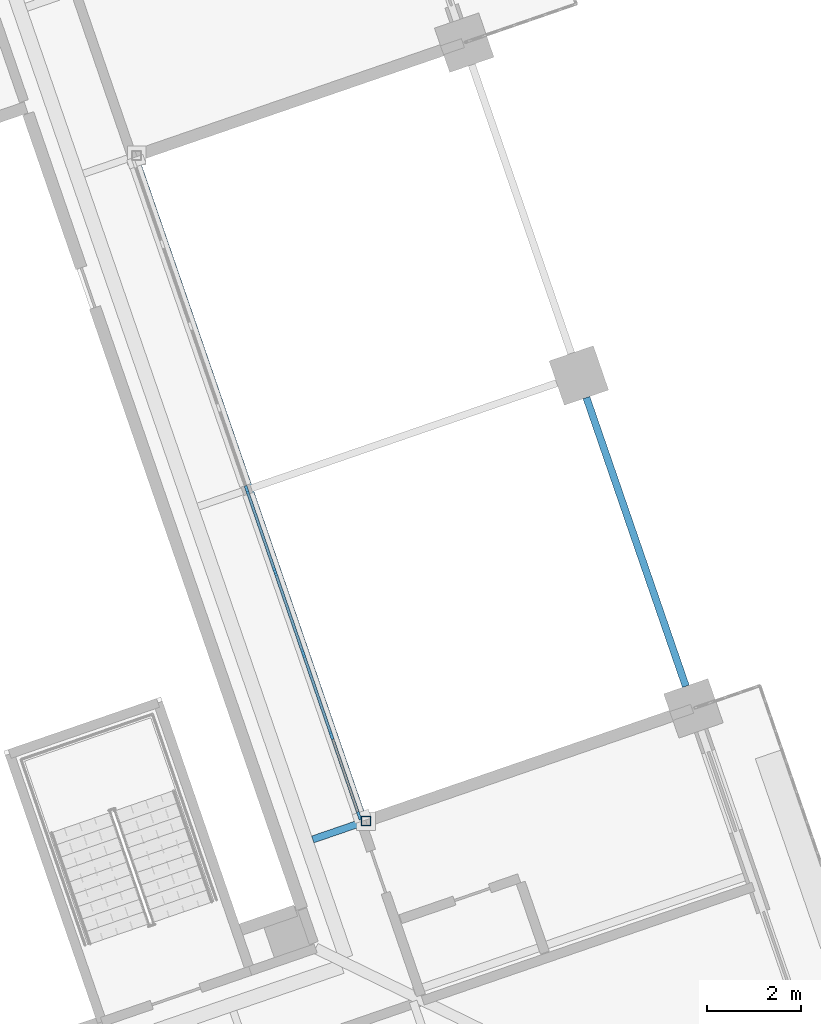
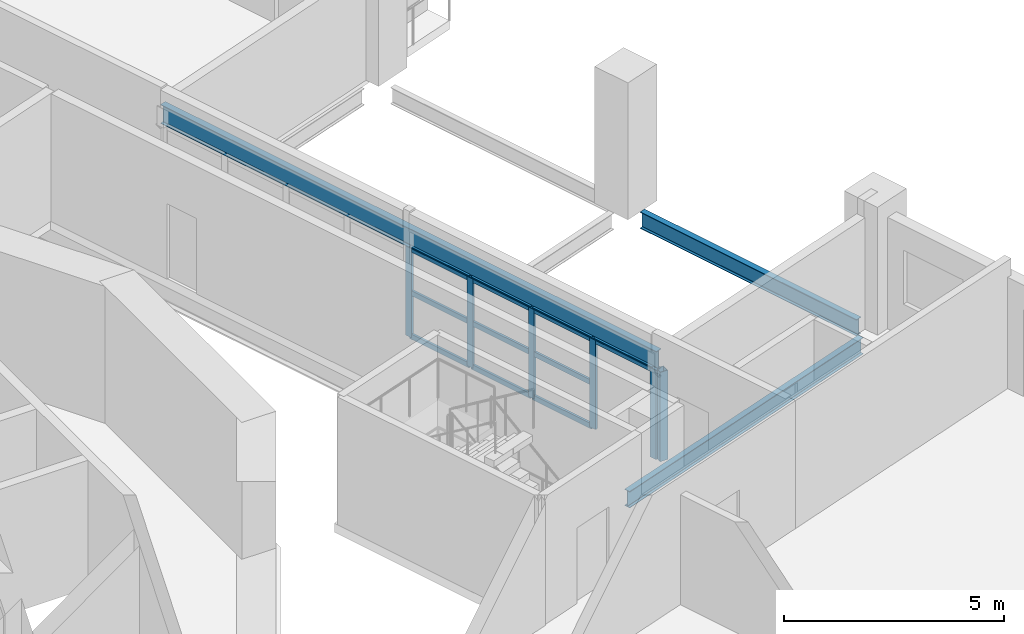
# One storey, part 2 of 22: 16 members, 3 beams, 1 element without a shape of its own.
"""IFC4 building model written with IfcOpenShell, lengths in metres."""

import ifcopenshell
import ifcopenshell.guid

model = None  # the IFC model being written
_history = None  # IfcOwnerHistory: only IFC2X3 demands one
_inside = {}  # id of a spatial element -> (the spatial element, [elements in it])
_under = {}  # id of a project, library or spatial element -> (it, [spatial elements below it])
_declared = {}  # id of a project -> (the project, [libraries it declares])
_typed = {}  # id of a type object -> (the type object, [elements of that type])
_made_of = {}  # id of a material, layer set ... -> (it, [elements and type objects made of it])


def new_model(schema):
    """Start an empty IFC model of exactly this schema.

    Asked for "IFC4X3", IfcOpenShell would pick the latest addendum, in which some entities
    have other attributes; the version numbers below select the first issue.
    IFC2X3 requires an IfcOwnerHistory on every rooted entity: one is made here for all.
    """
    global model, _history
    if schema == "IFC4X3":
        model = ifcopenshell.file(schema_version=(4, 3, 0, 0))
    else:
        model = ifcopenshell.file(schema=schema)
    _inside.clear()
    _under.clear()
    _declared.clear()
    _typed.clear()
    _made_of.clear()
    _history = None
    if model.schema == "IFC2X3":
        org = make("IfcOrganization", Name="unknown")
        user = make(
            "IfcPersonAndOrganization",
            ThePerson=make("IfcPerson", FamilyName="unknown"),
            TheOrganization=org,
        )
        app = make(
            "IfcApplication",
            ApplicationDeveloper=org,
            Version="unknown",
            ApplicationFullName="unknown",
            ApplicationIdentifier="unknown",
        )
        _history = make(
            "IfcOwnerHistory",
            OwningUser=user,
            OwningApplication=app,
            ChangeAction="ADDED",
            CreationDate=0,
        )
    return model


def make(cls, **values):
    """One entity of the class cls with the attributes given. An attribute that is None is left unset."""
    return model.create_entity(
        cls, **{name: value for name, value in values.items() if value is not None}
    )


def rooted(cls, **values):
    """An entity with a GlobalId (a new one), such as an element, a storey or a relation."""
    return make(cls, GlobalId=ifcopenshell.guid.new(), OwnerHistory=_history, **values)


def si_unit(unit_type, name, prefix=None):
    """IfcSIUnit, for example si_unit("LENGTHUNIT", "METRE", prefix="MILLI")."""
    return make("IfcSIUnit", UnitType=unit_type, Prefix=prefix, Name=name)


def assignment(units):
    """IfcUnitAssignment: the units of a project."""
    return None if units is None else make("IfcUnitAssignment", Units=units)


def point(xyz):
    """IfcCartesianPoint."""
    return None if xyz is None else make("IfcCartesianPoint", Coordinates=xyz)


def direction(xyz):
    """IfcDirection."""
    return None if xyz is None else make("IfcDirection", DirectionRatios=xyz)


def frame(location, z_axis=None, x_axis=None):
    """IfcAxis2Placement3D, a coordinate frame: its origin and axes. An axis left out is left unset."""
    return make(
        "IfcAxis2Placement3D",
        Location=point(location),
        Axis=direction(z_axis),
        RefDirection=direction(x_axis),
    )


def frame_2d(location, x_axis=None):
    """IfcAxis2Placement2D, a coordinate frame in the plane: its origin and x axis."""
    return make(
        "IfcAxis2Placement2D", Location=point(location), RefDirection=direction(x_axis)
    )


def origin():
    """The frame at (0, 0, 0) with its axes left unset."""
    return frame((0.0, 0.0, 0.0))


def origin_2d():
    """The frame at (0, 0) in the plane with its x axis left unset."""
    return frame_2d((0.0, 0.0))


def place(relative_to, where):
    """IfcLocalPlacement: puts the frame where relative to a parent placement (None: the world)."""
    return make(
        "IfcLocalPlacement", PlacementRelTo=relative_to, RelativePlacement=where
    )


def context(
    kind, dimensions, precision=None, world=None, true_north=None, identifier=None
):
    """IfcGeometricRepresentationContext, for example the 3D "Model" context."""
    return make(
        "IfcGeometricRepresentationContext",
        ContextIdentifier=identifier,
        ContextType=kind,
        CoordinateSpaceDimension=dimensions,
        Precision=precision,
        WorldCoordinateSystem=world,
        TrueNorth=true_north,
    )


def subcontext(parent, identifier, kind, view, scale=None):
    """IfcGeometricRepresentationSubContext, for example "Body" below "Model"."""
    return make(
        "IfcGeometricRepresentationSubContext",
        ContextIdentifier=identifier,
        ContextType=kind,
        ParentContext=parent,
        TargetScale=scale,
        TargetView=view,
    )


def project(units=None, contexts=None):
    """IfcProject with its units and contexts."""
    return rooted(
        "IfcProject",
        Name="project",
        RepresentationContexts=contexts,
        UnitsInContext=assignment(units),
    )


def spatial(cls, under=None, at=None, **own):
    """A site, building, storey or space (cls), placed at a placement, below another one or the project."""
    s = rooted(cls, ObjectPlacement=at, **own)
    if under is not None:
        _under.setdefault(under.id(), (under, []))[1].append(s)
    return s


def profile(cls, at=None, kind="AREA", **sizes):
    """A parametric profile (cls). Its sizes go by their IFC names, for example OverallWidth=200.0."""
    return make(cls, ProfileType=kind, Position=at, **sizes)


def rectangle(**sizes):
    """IfcRectangleProfileDef."""
    return profile("IfcRectangleProfileDef", **sizes)


def hollow_rectangle(**sizes):
    """IfcRectangleHollowProfileDef."""
    return profile("IfcRectangleHollowProfileDef", **sizes)


def i_section(**sizes):
    """IfcIShapeProfileDef."""
    return profile("IfcIShapeProfileDef", **sizes)


def extrude(swept, where, along, depth):
    """IfcExtrudedAreaSolid: the profile swept, set in the frame where, extruded along a direction by depth."""
    return make(
        "IfcExtrudedAreaSolid",
        SweptArea=swept,
        Position=where,
        ExtrudedDirection=direction(along),
        Depth=depth,
    )


def shape(context_of_items, identifier, shape_type, items):
    """IfcShapeRepresentation: the items that make up one representation, for example the "Body"."""
    return make(
        "IfcShapeRepresentation",
        ContextOfItems=context_of_items,
        RepresentationIdentifier=identifier,
        RepresentationType=shape_type,
        Items=items,
    )


def material(Name=None, Category=None):
    """IfcMaterial."""
    return make("IfcMaterial", Name=Name, Category=Category)


def material_profile(
    of_material, cross_section, Name=None, Category=None, Priority=None
):
    """IfcMaterialProfile: a cross section and its material."""
    return make(
        "IfcMaterialProfile",
        Name=Name,
        Material=of_material,
        Profile=cross_section,
        Priority=Priority,
        Category=Category,
    )


def profile_set(profiles, Name=None, composite=None):
    """IfcMaterialProfileSet."""
    return make(
        "IfcMaterialProfileSet",
        Name=Name,
        MaterialProfiles=profiles,
        CompositeProfile=composite,
    )


def made_of(thing, what):
    """Note that an element or type object is made of a material, layer set ...; save() writes the relation."""
    if what is not None:
        _made_of.setdefault(what.id(), (what, []))[1].append(thing)
    return thing


def type_object(cls, material=None, **own):
    """A type object (cls), such as IfcWallType, which elements share."""
    return made_of(rooted(cls, **own), material)


def element(
    cls,
    number,
    at=None,
    inside=None,
    cuts=None,
    type_object=None,
    material=None,
    context=None,
    identifier="Body",
    shape_type=None,
    held_by="IfcProductDefinitionShape",
    body=None,
    shapes=None,
    **own,
):
    """One element of the class cls, such as IfcWall. Its Tag is "e" and its number.

    at: its placement. inside: the storey or other place that contains it. cuts: it is an
    opening in that element (IfcRelVoidsElement). A single representation is given by context,
    identifier, shape_type and body (its items); several are given by shapes. held_by: the class
    of the entity that holds the representations. save() writes the other relations.
    """
    e = rooted(cls, Tag="e%d" % number, ObjectPlacement=at, **own)
    if body is not None:
        shapes = [shape(context, identifier, shape_type, body)]
    if shapes is not None:
        e.Representation = make(held_by, Representations=shapes)
    if inside is not None:
        _inside.setdefault(inside.id(), (inside, []))[1].append(e)
    if cuts is not None:
        rooted(
            "IfcRelVoidsElement", RelatingBuildingElement=cuts, RelatedOpeningElement=e
        )
    if type_object is not None:
        _typed.setdefault(type_object.id(), (type_object, []))[1].append(e)
    return made_of(e, material)


def aggregate(whole, parts):
    """IfcRelAggregates: a whole, such as a stair, and the parts it consists of."""
    return rooted("IfcRelAggregates", RelatingObject=whole, RelatedObjects=parts)


def save(model, path):
    """Write the relations noted so far, then the file.

    IfcRelAggregates (storeys below a building ...), IfcRelContainedInSpatialStructure (elements
    in a storey), IfcRelDefinesByType, IfcRelAssociatesMaterial and IfcRelDeclares: one each for
    every whole, place, type object, material and project.
    """
    for whole, parts in _under.values():
        aggregate(whole, parts)
    for where, things in _inside.values():
        rooted(
            "IfcRelContainedInSpatialStructure",
            RelatedElements=things,
            RelatingStructure=where,
        )
    for kind, things in _typed.values():
        rooted("IfcRelDefinesByType", RelatedObjects=things, RelatingType=kind)
    for what, things in _made_of.values():
        rooted("IfcRelAssociatesMaterial", RelatedObjects=things, RelatingMaterial=what)
    for by, libraries in _declared.values():
        rooted("IfcRelDeclares", RelatingContext=by, RelatedDefinitions=libraries)
    model.write(path)


model = new_model("IFC4")

# Units and contexts
model_context = context("Model", 3, precision=1e-05, world=origin(), true_north=direction((0.0, 1.0)))
body_context = subcontext(model_context, "Body", "Model", "MODEL_VIEW")
ifc_project = project(units=[si_unit("LENGTHUNIT", "METRE"), si_unit("AREAUNIT", "SQUARE_METRE"), si_unit("VOLUMEUNIT", "CUBIC_METRE"), si_unit("PLANEANGLEUNIT", "RADIAN"), si_unit("MASSUNIT", "GRAM", prefix="KILO")], contexts=[model_context])

# Site, building, storey
site_placement = place(None, origin())
site = spatial("IfcSite", under=ifc_project, at=site_placement, CompositionType="ELEMENT")
building_placement = place(site_placement, origin())
building = spatial("IfcBuilding", under=site, at=building_placement, Name="Cantera Rosa Tower", CompositionType="ELEMENT")
storey_placement = place(building_placement, frame((0.0, 0.0, 115.5)))
storey = spatial("IfcBuildingStorey", under=building, at=storey_placement, Name="L23", CompositionType="ELEMENT", Elevation=115.5)

# Curtain wall, members
ifc_material_1 = material(Name="Aluminium frame with clear glass", Category="aluminium")
curtain_wall_type = type_object("IfcCurtainWallType", Name="CW1 TERRACE POCKET GLAZING", PredefinedType="NOTDEFINED", material=ifc_material_1)
curtain_wall_placement = place(storey_placement, origin())
curtain_wall = element("IfcCurtainWall", 1, at=curtain_wall_placement, inside=storey, type_object=curtain_wall_type, Name="CW1 CW1", PredefinedType="NOTDEFINED")
ifc_material_2 = material(Name="Anodised bronze aluminium", Category="aluminium")
ifc_material_profile_1 = material_profile(ifc_material_2, rectangle(XDim=0.06005859375, YDim=0.179931640625, at=origin_2d()), Name="CW-MULLION 60x180 POCKET")
ifc_profile_set_1 = profile_set([ifc_material_profile_1], Name="Anodised bronze aluminium")
member_type_1 = type_object("IfcMemberType", Name="CW-MULLION 60x180 POCKET", PredefinedType="MULLION", material=ifc_profile_set_1)
member_1_placement = place(storey_placement, frame((21.30322265625, -4.4306640625, 0.0), z_axis=(0.0, 0.0, 1.0), x_axis=(-0.945518575588, -0.32556815449, 0.0)))
member_1 = element("IfcMember", 2, at=member_1_placement, type_object=member_type_1, Name="CW1 mullion 1", PredefinedType="MULLION", context=body_context, shape_type="SweptSolid", body=[
    extrude(rectangle(XDim=0.06005859375, YDim=0.179931640625, at=origin_2d()), origin(), (0.0, 0.0, 1.0), 2.47998046875),
])
member_2_placement = place(storey_placement, frame((20.7109375, -2.711181640625, 0.0), z_axis=(0.0, 0.0, 1.0), x_axis=(-0.945518575588, -0.32556815449, 0.0)))
member_2 = element("IfcMember", 3, at=member_2_placement, type_object=member_type_1, Name="CW1 mullion 2", PredefinedType="MULLION", context=body_context, shape_type="SweptSolid", body=[
    extrude(rectangle(XDim=0.06005859375, YDim=0.179931640625, at=origin_2d()), origin(), (0.0, 0.0, 1.0), 2.47998046875),
])
member_3_placement = place(storey_placement, frame((20.109130859375, -0.963134765625, 0.0), z_axis=(0.0, 0.0, 1.0), x_axis=(-0.945518575588, -0.32556815449, 0.0)))
member_3 = element("IfcMember", 4, at=member_3_placement, type_object=member_type_1, Name="CW1 mullion 3", PredefinedType="MULLION", context=body_context, shape_type="SweptSolid", body=[
    extrude(rectangle(XDim=0.06005859375, YDim=0.179931640625, at=origin_2d()), origin(), (0.0, 0.0, 1.0), 2.47998046875),
])
member_4_placement = place(storey_placement, frame((19.50732421875, 0.784912109375, 0.0), z_axis=(0.0, 0.0, 1.0), x_axis=(-0.945518575588, -0.32556815449, 0.0)))
member_4 = element("IfcMember", 5, at=member_4_placement, type_object=member_type_1, Name="CW1 mullion 4", PredefinedType="MULLION", context=body_context, shape_type="SweptSolid", body=[
    extrude(rectangle(XDim=0.06005859375, YDim=0.179931640625, at=origin_2d()), origin(), (0.0, 0.0, 1.0), 2.47998046875),
])
member_5_placement = place(storey_placement, frame((18.9052734375, 2.532958984375, 0.0), z_axis=(0.0, 0.0, 1.0), x_axis=(-0.945518575588, -0.32556815449, 0.0)))
member_5 = element("IfcMember", 6, at=member_5_placement, type_object=member_type_1, Name="CW1 mullion 5", PredefinedType="MULLION", context=body_context, shape_type="SweptSolid", body=[
    extrude(rectangle(XDim=0.06005859375, YDim=0.179931640625, at=origin_2d()), origin(), (0.0, 0.0, 1.0), 2.47998046875),
])
ifc_material_3 = material(Name="Anodised bronze aluminium", Category="aluminium")
ifc_material_profile_2 = material_profile(ifc_material_3, rectangle(XDim=0.06005859375, YDim=0.139892578125, at=origin_2d()), Name="CW-TRANSOM 60x140 POCKET")
ifc_profile_set_2 = profile_set([ifc_material_profile_2], Name="Anodised bronze aluminium")
member_type_2 = type_object("IfcMemberType", Name="CW-TRANSOM 60x140 POCKET", PredefinedType="USERDEFINED", material=ifc_profile_set_2)
member_6_placement = place(storey_placement, frame((21.29345703125, -4.40234375, 2.449951171875), z_axis=(-0.325665527523, 0.945485041755, 0.0), x_axis=(-0.945485041755, -0.325665527523, 0.0)))
member_6 = element("IfcMember", 7, at=member_6_placement, type_object=member_type_2, Name="CW1 transom 1.3", ObjectType="TRANSOM", PredefinedType="USERDEFINED", context=body_context, shape_type="SweptSolid", body=[
    extrude(rectangle(XDim=0.06005859375, YDim=0.139892578125, at=origin_2d()), origin(), (0.0, 0.0, 1.0), 1.7587890625),
])
member_7_placement = place(storey_placement, frame((20.701171875, -2.682861328125, 0.030029296875), z_axis=(-0.325506938428, 0.945539651752, 0.0), x_axis=(-0.945539651752, -0.325506938428, 0.0)))
member_7 = element("IfcMember", 8, at=member_7_placement, type_object=member_type_2, Name="CW1 transom 2.1", ObjectType="TRANSOM", PredefinedType="USERDEFINED", context=body_context, shape_type="SweptSolid", body=[
    extrude(rectangle(XDim=0.06005859375, YDim=0.139892578125, at=origin_2d()), origin(), (0.0, 0.0, 1.0), 1.788818359375),
])
member_8_placement = place(storey_placement, frame((20.701171875, -2.682861328125, 1.239990234375), z_axis=(-0.325506938428, 0.945539651752, 0.0), x_axis=(-0.945539651752, -0.325506938428, 0.0)))
member_8 = element("IfcMember", 9, at=member_8_placement, type_object=member_type_2, Name="CW1 transom 2.2", ObjectType="TRANSOM", PredefinedType="USERDEFINED", context=body_context, shape_type="SweptSolid", body=[
    extrude(rectangle(XDim=0.06005859375, YDim=0.139892578125, at=origin_2d()), origin(), (0.0, 0.0, 1.0), 1.788818359375),
])
member_9_placement = place(storey_placement, frame((20.701171875, -2.682861328125, 2.449951171875), z_axis=(-0.325506938428, 0.945539651752, 0.0), x_axis=(-0.945539651752, -0.325506938428, 0.0)))
member_9 = element("IfcMember", 10, at=member_9_placement, type_object=member_type_2, Name="CW1 transom 2.3", ObjectType="TRANSOM", PredefinedType="USERDEFINED", context=body_context, shape_type="SweptSolid", body=[
    extrude(rectangle(XDim=0.06005859375, YDim=0.139892578125, at=origin_2d()), origin(), (0.0, 0.0, 1.0), 1.788818359375),
])
member_10_placement = place(storey_placement, frame((20.099365234375, -0.934814453125, 0.030029296875), z_axis=(-0.325506938428, 0.945539651752, 0.0), x_axis=(-0.945539651752, -0.325506938428, 0.0)))
member_10 = element("IfcMember", 11, at=member_10_placement, type_object=member_type_2, Name="CW1 transom 3.1", ObjectType="TRANSOM", PredefinedType="USERDEFINED", context=body_context, shape_type="SweptSolid", body=[
    extrude(rectangle(XDim=0.06005859375, YDim=0.139892578125, at=origin_2d()), origin(), (0.0, 0.0, 1.0), 1.788818359375),
])
member_11_placement = place(storey_placement, frame((20.099365234375, -0.934814453125, 1.239990234375), z_axis=(-0.325506938428, 0.945539651752, 0.0), x_axis=(-0.945539651752, -0.325506938428, 0.0)))
member_11 = element("IfcMember", 12, at=member_11_placement, type_object=member_type_2, Name="CW1 transom 3.2", ObjectType="TRANSOM", PredefinedType="USERDEFINED", context=body_context, shape_type="SweptSolid", body=[
    extrude(rectangle(XDim=0.06005859375, YDim=0.139892578125, at=origin_2d()), origin(), (0.0, 0.0, 1.0), 1.788818359375),
])
member_12_placement = place(storey_placement, frame((20.099365234375, -0.934814453125, 2.449951171875), z_axis=(-0.325506938428, 0.945539651752, 0.0), x_axis=(-0.945539651752, -0.325506938428, 0.0)))
member_12 = element("IfcMember", 13, at=member_12_placement, type_object=member_type_2, Name="CW1 transom 3.3", ObjectType="TRANSOM", PredefinedType="USERDEFINED", context=body_context, shape_type="SweptSolid", body=[
    extrude(rectangle(XDim=0.06005859375, YDim=0.139892578125, at=origin_2d()), origin(), (0.0, 0.0, 1.0), 1.788818359375),
])
member_13_placement = place(storey_placement, frame((19.49755859375, 0.813232421875, 0.030029296875), z_axis=(-0.325628950391, 0.945497639694, 0.0), x_axis=(-0.945497639694, -0.325628950391, 0.0)))
member_13 = element("IfcMember", 14, at=member_13_placement, type_object=member_type_2, Name="CW1 transom 4.1", ObjectType="TRANSOM", PredefinedType="USERDEFINED", context=body_context, shape_type="SweptSolid", body=[
    extrude(rectangle(XDim=0.06005859375, YDim=0.139892578125, at=origin_2d()), origin(), (0.0, 0.0, 1.0), 1.788818359375),
])
member_14_placement = place(storey_placement, frame((19.49755859375, 0.813232421875, 1.239990234375), z_axis=(-0.325628950391, 0.945497639694, 0.0), x_axis=(-0.945497639694, -0.325628950391, 0.0)))
member_14 = element("IfcMember", 15, at=member_14_placement, type_object=member_type_2, Name="CW1 transom 4.2", ObjectType="TRANSOM", PredefinedType="USERDEFINED", context=body_context, shape_type="SweptSolid", body=[
    extrude(rectangle(XDim=0.06005859375, YDim=0.139892578125, at=origin_2d()), origin(), (0.0, 0.0, 1.0), 1.788818359375),
])
member_15_placement = place(storey_placement, frame((19.49755859375, 0.813232421875, 2.449951171875), z_axis=(-0.325628950391, 0.945497639694, 0.0), x_axis=(-0.945497639694, -0.325628950391, 0.0)))
member_15 = element("IfcMember", 16, at=member_15_placement, type_object=member_type_2, Name="CW1 transom 4.3", ObjectType="TRANSOM", PredefinedType="USERDEFINED", context=body_context, shape_type="SweptSolid", body=[
    extrude(rectangle(XDim=0.06005859375, YDim=0.139892578125, at=origin_2d()), origin(), (0.0, 0.0, 1.0), 1.788818359375),
])
aggregate(curtain_wall, [member_1, member_2, member_3, member_4, member_5, member_6, member_7, member_8, member_9, member_10, member_11, member_12, member_13, member_14, member_15])

# Member
ifc_material_4 = material(Name="Steel ASTM A992 (Fy 345 MPa)", Category="steel")
ifc_material_profile_3 = material_profile(ifc_material_4, hollow_rectangle(XDim=0.199951171875, YDim=0.199951171875, WallThickness=0.010009765625, at=origin_2d()), Name="LINTEL POST RHS 200x200x10")
ifc_profile_set_3 = profile_set([ifc_material_profile_3], Name="Steel ASTM A992 (Fy 345 MPa)")
member_type_3 = type_object("IfcMemberType", Name="LINTEL POST RHS 200x200x10", PredefinedType="USERDEFINED", material=ifc_profile_set_3)
member_16_placement = place(storey_placement, frame((21.4482421875, -4.544921875, 0.0), z_axis=(0.0, 0.0, 1.0), x_axis=(1.0, 0.0, 0.0)))
element("IfcMember", 17, at=member_16_placement, inside=storey, type_object=member_type_3, Name="LINTEL POST L23-1", ObjectType="LINTEL POST", PredefinedType="USERDEFINED", context=body_context, shape_type="SweptSolid", body=[
    extrude(hollow_rectangle(XDim=0.199951171875, YDim=0.199951171875, WallThickness=0.010009765625, at=origin_2d()), origin(), (0.0, 0.0, 1.0), 2.48193359375),
])

# Beams
ifc_material_5 = material(Name="Steel ASTM A992 (Fy 345 MPa)", Category="steel")
ifc_material_profile_4 = material_profile(ifc_material_5, i_section(OverallWidth=0.154052734375, OverallDepth=0.4599609375, WebThickness=0.009033203125, FlangeThickness=0.015380859375, FilletRadius=0.01025390625, at=origin_2d()), Name="W460X68")
ifc_profile_set_4 = profile_set([ifc_material_profile_4], Name="Steel ASTM A992 (Fy 345 MPa)")
beam_type_1 = type_object("IfcBeamType", Name="STEEL BEAM W460X68", PredefinedType="BEAM", material=ifc_profile_set_4)
beam_1_placement = place(storey_placement, frame((27.97216796875, -2.29833984375, -0.47998046875), z_axis=(-0.945514467387, -0.325580085327, 0.0), x_axis=(0.325580085327, -0.945514467387, 0.0)))
element("IfcBeam", 18, at=beam_1_placement, inside=storey, type_object=beam_type_1, Name="G-Z2-01 L23", PredefinedType="BEAM", context=body_context, shape_type="SweptSolid", body=[
    extrude(i_section(OverallWidth=0.154052734375, OverallDepth=0.4599609375, WebThickness=0.009033203125, FlangeThickness=0.015380859375, FilletRadius=0.01025390625, at=origin_2d()), origin(), (0.0, 0.0, 1.0), 8.10009765625),
])
ifc_material_6 = material(Name="Steel ASTM A992 (Fy 345 MPa)", Category="steel")
ifc_material_profile_5 = material_profile(ifc_material_6, i_section(OverallWidth=0.166015625, OverallDepth=0.528076171875, WebThickness=0.009765625, FlangeThickness=0.013671875, FilletRadius=0.0126953125, at=origin_2d()), Name="W530X74")
ifc_profile_set_5 = profile_set([ifc_material_profile_5], Name="Steel ASTM A992 (Fy 345 MPa)")
beam_type_2 = type_object("IfcBeamType", Name="STEEL BEAM W530X74", PredefinedType="BEAM", material=ifc_profile_set_5)
beam_2_placement = place(storey_placement, frame((21.384521484375, -4.513916015625, 2.74609375), z_axis=(-0.325566108702, 0.945519280007, 0.0), x_axis=(-0.945519280007, -0.325566108702, 0.0)))
element("IfcBeam", 19, at=beam_2_placement, inside=storey, type_object=beam_type_2, Name="LINTEL SL-L23", PredefinedType="BEAM", context=body_context, shape_type="SweptSolid", body=[
    extrude(i_section(OverallWidth=0.166015625, OverallDepth=0.528076171875, WebThickness=0.009765625, FlangeThickness=0.013671875, FilletRadius=0.0126953125, at=origin_2d()), origin(), (0.0, 0.0, 1.0), 14.940185546875),
])
ifc_material_7 = material(Name="Steel ASTM A992 (Fy 345 MPa)", Category="steel")
ifc_material_profile_6 = material_profile(ifc_material_7, i_section(OverallWidth=0.154052734375, OverallDepth=0.4599609375, WebThickness=0.009033203125, FlangeThickness=0.015380859375, FilletRadius=0.01025390625, at=origin_2d()), Name="W460X68")
ifc_profile_set_6 = profile_set([ifc_material_profile_6], Name="Steel ASTM A992 (Fy 345 MPa)")
beam_type_3 = type_object("IfcBeamType", Name="STEEL SPANDREL BEAM W460X68", PredefinedType="SPANDREL", material=ifc_profile_set_6)
beam_3_placement = place(storey_placement, frame((28.2822265625, -1.662841796875, -0.47998046875), z_axis=(-0.325580990241, 0.945514155787, 0.0), x_axis=(-0.945514155787, -0.325580990241, 0.0)))
element("IfcBeam", 20, at=beam_3_placement, inside=storey, type_object=beam_type_3, Name="EB-Z2-02 L23", PredefinedType="SPANDREL", context=body_context, shape_type="SweptSolid", body=[
    extrude(i_section(OverallWidth=0.154052734375, OverallDepth=0.4599609375, WebThickness=0.009033203125, FlangeThickness=0.015380859375, FilletRadius=0.01025390625, at=origin_2d()), origin(), (0.0, 0.0, 1.0), 6.52001953125),
])

save(model, "model.ifc")
